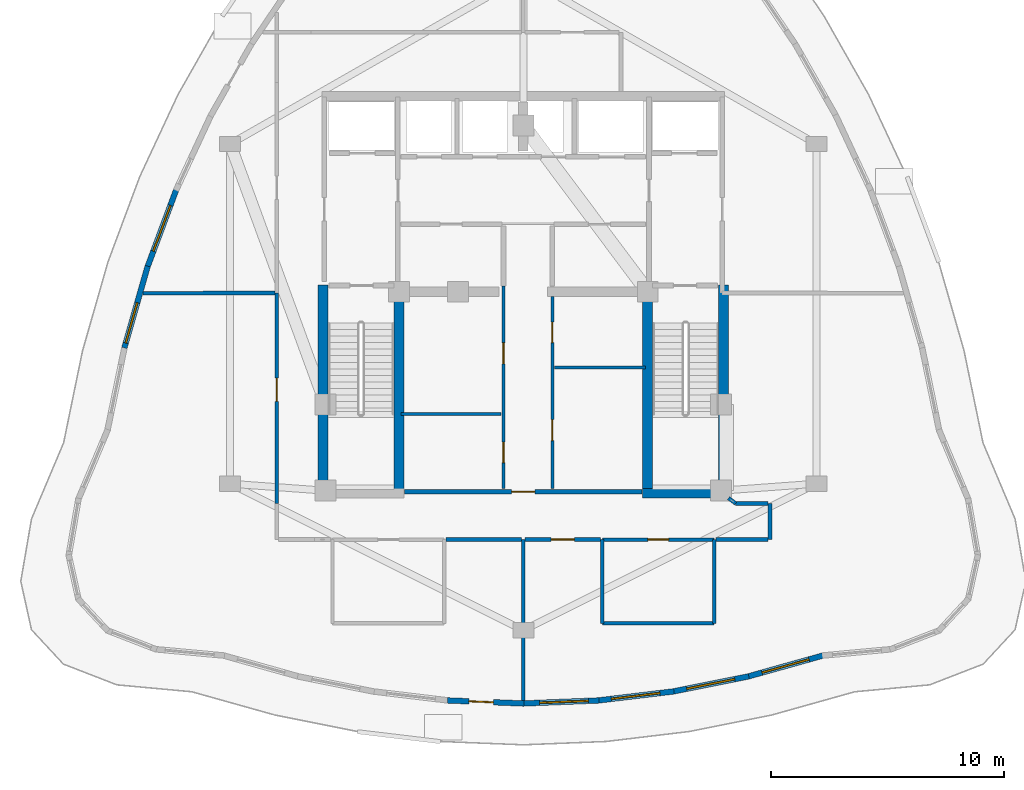
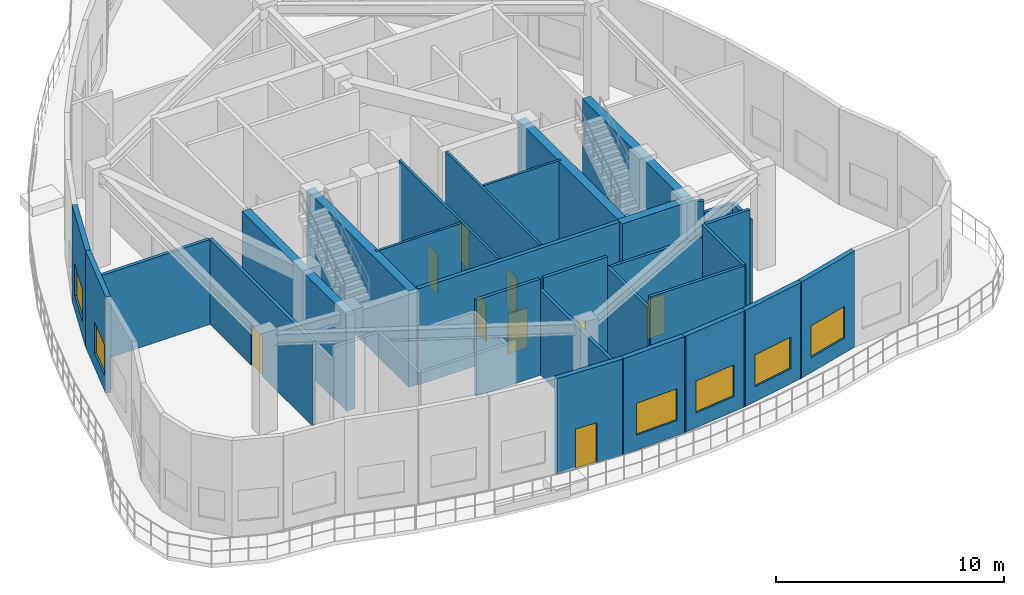
# One storey, part 4 of 11: 30 walls, 9 doors, 6 windows, 15 openings.
"""IFC4 building model written with IfcOpenShell, lengths in metres."""

from ifc_helpers import new_model, si_unit, direction, frame, frame_2d, origin, place, context, subcontext, project, spatial, rectangle, extrude, material, layer, layer_set, type_object, element, fill, save


model = new_model("IFC4")

# Units and contexts
model_context = context("Model", 3, precision=1e-05, world=origin(), true_north=direction((0.0, 1.0)))
body_context = subcontext(model_context, "Body", "Model", "MODEL_VIEW")
ifc_project = project(units=[si_unit("LENGTHUNIT", "METRE"), si_unit("AREAUNIT", "SQUARE_METRE"), si_unit("VOLUMEUNIT", "CUBIC_METRE"), si_unit("PLANEANGLEUNIT", "RADIAN"), si_unit("MASSUNIT", "GRAM", prefix="KILO")], contexts=[model_context])

# Site, building, storey
site_placement = place(None, origin())
site = spatial("IfcSite", under=ifc_project, at=site_placement, CompositionType="ELEMENT")
building_placement = place(site_placement, origin())
building = spatial("IfcBuilding", under=site, at=building_placement, Name="Miruveldt Soraemaru", CompositionType="ELEMENT")
storey_placement = place(building_placement, frame((0.0, 0.0, 295.39990234375)))
storey = spatial("IfcBuildingStorey", under=building, at=storey_placement, Name="L79", CompositionType="ELEMENT", Elevation=295.39990234375)

# Walls
ifc_material_1 = material(Name="Concrete C50/60 (50 MPa)", Category="concrete")
ifc_layer_1 = layer(ifc_material_1, 0.419921875, Name="Concrete C50/60 (50 MPa)", Category="concrete")
ifc_layer_set_1 = layer_set([ifc_layer_1], Name="Concrete C50/60 (50 MPa)")
wall_type_1 = type_object("IfcWallType", Name="WALL-CW-420", PredefinedType="SHEAR", material=ifc_layer_set_1)
wall_1_placement = place(storey_placement, frame((49.1298828125, 35.389892578125, 0.0), z_axis=(0.0, 0.0, 1.0), x_axis=(1.0, 0.0, 0.0)))
element("IfcWall", 1, at=wall_1_placement, inside=storey, type_object=wall_type_1, Name="L79 Central Core Shear Wall S2", PredefinedType="SHEAR", context=body_context, shape_type="SweptSolid", body=[
    extrude(rectangle(XDim=3.690185546875, YDim=0.419921875, at=frame_2d((1.84521484375, 0.0))), origin(), (0.0, 0.0, 1.0), 5.14013671875),
])
for number, where, z_axis, x_axis, name in (
    (2, (35.389892578125, 35.179931640625, 0.0), (0.0, 0.0, 1.0), (0.0, 1.0, 0.0), "L79 Central Core Shear Wall W1"),
    (3, (52.610107421875, 35.179931640625, 0.0), (0.0, 0.0, 1.0), (0.0, 1.0, 0.0), "L79 Central Core Shear Wall E1"),
):
    element("IfcWall", number, at=place(storey_placement, frame(where, z_axis=z_axis, x_axis=x_axis)), inside=storey, type_object=wall_type_1, Name=name, PredefinedType="SHEAR", context=body_context, shape_type="SweptSolid", body=[
        extrude(rectangle(XDim=9.170166015625, YDim=0.419921875, at=frame_2d((4.5849609375, 0.0))), origin(), (0.0, 0.0, 1.0), 5.14013671875),
    ])
for number, where, z_axis, x_axis, name in (
    (4, (38.659912109375, 35.39990234375, 0.0), (0.0, 0.0, 1.0), (0.0, 1.0, 0.0), "L79 Central Core Shear Wall SW-INT"),
    (5, (49.340087890625, 35.39990234375, 0.0), (0.0, 0.0, 1.0), (0.0, 1.0, 0.0), "L79 Central Core Shear Wall SE-INT"),
):
    element("IfcWall", number, at=place(storey_placement, frame(where, z_axis=z_axis, x_axis=x_axis)), inside=storey, type_object=wall_type_1, Name=name, PredefinedType="SHEAR", context=body_context, shape_type="SweptSolid", body=[
        extrude(rectangle(XDim=8.9501953125, YDim=0.419921875, at=frame_2d((4.47509765625, 0.0))), origin(), (0.0, 0.0, 1.0), 5.14013671875),
    ])

# Wall, opening, window
ifc_material_2 = material(Name="Precast concrete C45/55 (45 MPa)", Category="concrete")
ifc_layer_2 = layer(ifc_material_2, 0.239990234375, Name="Precast concrete C45/55 (45 MPa)", Category="concrete")
ifc_layer_set_2 = layer_set([ifc_layer_2], Name="Precast concrete C45/55 (45 MPa)")
wall_type_2 = type_object("IfcWallType", Name="WALL-EXT-PC240", PredefinedType="SOLIDWALL", material=ifc_layer_set_2)
wall_2_placement = place(storey_placement, frame((29.096435546875, 48.46728515625, 0.0), z_axis=(0.0, 0.0, 1.0), x_axis=(-0.349054279873, -0.937102507574, 0.0)))
wall_2 = element("IfcWall", 6, at=wall_2_placement, inside=storey, type_object=wall_type_2, Name="L79 Precast Concrete Facade Wall 12", PredefinedType="SOLIDWALL", context=body_context, shape_type="SweptSolid", body=[
    extrude(rectangle(XDim=3.609130859375, YDim=0.239990234375, at=frame_2d((1.8046875, 0.0))), origin(), (0.0, 0.0, 1.0), 5.14013671875),
])
opening_1_placement = place(wall_2_placement, frame((0.75390625, 0.0, 0.800048828125)))
opening_1 = element("IfcOpeningElement", 7, at=opening_1_placement, cuts=wall_2, Name="Opening WN-1", PredefinedType="OPENING", context=body_context, shape_type="SweptSolid", body=[
    extrude(rectangle(XDim=2.10009765625, YDim=1.699951171875, at=frame_2d((1.050048828125, 0.85009765625))), frame((0.0, 0.1298828125, 0.0), z_axis=(0.0, -1.0, 0.0), x_axis=(1.0, 0.0, 0.0)), (0.0, 0.0, 1.0), 0.260009765625),
])
ifc_material_3 = material(Name="Triple low-e insulated glazing", Category="glass")
window_type_1 = type_object("IfcWindowType", Name="WIN-PUNCH-2100x1700", PartitioningType="SINGLE_PANEL", PredefinedType="WINDOW", material=ifc_material_3)
window_1_placement = place(opening_1_placement, origin())
window_1 = element("IfcWindow", 8, at=window_1_placement, inside=storey, type_object=window_type_1, Name="L79 Punched Triple-Glazed Window 12.1", OverallHeight=1.699951171875, OverallWidth=2.10009765625, PartitioningType="SINGLE_PANEL", PredefinedType="WINDOW", context=body_context, shape_type="SweptSolid", body=[
    extrude(rectangle(XDim=2.10009765625, YDim=1.699951171875, at=frame_2d((1.050048828125, 0.85009765625))), frame((0.0, 0.030029296875, 0.0), z_axis=(0.0, -1.0, 0.0), x_axis=(1.0, 0.0, 0.0)), (0.0, 0.0, 1.0), 0.06005859375),
])
fill(opening_1, window_1)

wall_3_placement = place(storey_placement, frame((27.8583984375, 45.151611328125, 0.0), z_axis=(0.0, 0.0, 1.0), x_axis=(-0.274897629025, -0.961473501224, 0.0)))
wall_3 = element("IfcWall", 9, at=wall_3_placement, inside=storey, type_object=wall_type_2, Name="L79 Precast Concrete Facade Wall 13", PredefinedType="SOLIDWALL", context=body_context, shape_type="SweptSolid", body=[
    extrude(rectangle(XDim=3.65380859375, YDim=0.239990234375, at=frame_2d((1.826904296875, 0.0))), origin(), (0.0, 0.0, 1.0), 5.14013671875),
])
opening_2_placement = place(wall_3_placement, frame((1.635009765625, 0.0, 0.800048828125)))
opening_2 = element("IfcOpeningElement", 10, at=opening_2_placement, cuts=wall_3, Name="Opening WN-2", PredefinedType="OPENING", context=body_context, shape_type="SweptSolid", body=[
    extrude(rectangle(XDim=1.800048828125, YDim=1.64990234375, at=frame_2d((0.89990234375, 0.824951171875))), frame((0.0, 0.1298828125, 0.0), z_axis=(0.0, -1.0, 0.0), x_axis=(1.0, 0.0, 0.0)), (0.0, 0.0, 1.0), 0.260009765625),
])
window_type_2 = type_object("IfcWindowType", Name="WIN-PUNCH-1800x1650", PartitioningType="SINGLE_PANEL", PredefinedType="WINDOW", material=ifc_material_3)
window_2_placement = place(opening_2_placement, origin())
window_2 = element("IfcWindow", 11, at=window_2_placement, inside=storey, type_object=window_type_2, Name="L79 Punched Triple-Glazed Window 13.1", OverallHeight=1.64990234375, OverallWidth=1.800048828125, PartitioningType="SINGLE_PANEL", PredefinedType="WINDOW", context=body_context, shape_type="SweptSolid", body=[
    extrude(rectangle(XDim=1.800048828125, YDim=1.64990234375, at=frame_2d((0.89990234375, 0.824951171875))), frame((0.0, 0.030029296875, 0.0), z_axis=(0.0, -1.0, 0.0), x_axis=(1.0, 0.0, 0.0)), (0.0, 0.0, 1.0), 0.06005859375),
])
fill(opening_2, window_2)

# Wall, opening, door
wall_4_placement = place(storey_placement, frame((40.74462890625, 26.485107421875, 0.0), z_axis=(0.0, 0.0, 1.0), x_axis=(0.999201195577, -0.039962116526, 0.0)))
wall_4 = element("IfcWall", 12, at=wall_4_placement, inside=storey, type_object=wall_type_2, Name="L79 Precast Concrete Facade Wall 24", PredefinedType="SOLIDWALL", context=body_context, shape_type="SweptSolid", body=[
    extrude(rectangle(XDim=3.29296875, YDim=0.239990234375, at=frame_2d((1.646484375, 0.0))), origin(), (0.0, 0.0, 1.0), 5.14013671875),
])
opening_3_placement = place(wall_4_placement, frame((0.922119140625, 0.0, 0.0)))
opening_3 = element("IfcOpeningElement", 13, at=opening_3_placement, cuts=wall_4, Name="Opening TD-1", PredefinedType="OPENING", context=body_context, shape_type="SweptSolid", body=[
    extrude(rectangle(XDim=1.050048828125, YDim=2.14990234375, at=frame_2d((0.52490234375, 1.074951171875))), frame((0.0, 0.1298828125, 0.0), z_axis=(0.0, -1.0, 0.0), x_axis=(1.0, 0.0, 0.0)), (0.0, 0.0, 1.0), 0.260009765625),
])
ifc_material_4 = material(Name="Anodised aluminium EN AW-6063 T6", Category="aluminium")
door_type_1 = type_object("IfcDoorType", Name="DOOR-TER-1050", OperationType="NOTDEFINED", PredefinedType="DOOR", material=ifc_material_4)
door_1_placement = place(opening_3_placement, frame((1.050048828125, 0.0, 0.0), z_axis=(0.0, 0.0, 1.0), x_axis=(-1.0, 0.0, 0.0)))
door_1 = element("IfcDoor", 14, at=door_1_placement, inside=storey, type_object=door_type_1, Name="L79 Terrace Access Glazed Door 24", OperationType="SINGLE_SWING_LEFT", OverallHeight=2.14990234375, OverallWidth=1.050048828125, PredefinedType="DOOR", context=body_context, shape_type="SweptSolid", body=[
    extrude(rectangle(XDim=1.050048828125, YDim=2.14990234375, at=frame_2d((0.52490234375, 1.074951171875))), frame((0.0, 0.02490234375, 0.0), z_axis=(0.0, -1.0, 0.0), x_axis=(1.0, 0.0, 0.0)), (0.0, 0.0, 1.0), 0.050048828125),
])
fill(opening_3, door_1)

# Wall, opening, window
wall_5_placement = place(storey_placement, frame((43.965087890625, 26.353515625, 0.0), z_axis=(0.0, 0.0, 1.0), x_axis=(0.999201195577, 0.039962116526, 0.0)))
wall_5 = element("IfcWall", 15, at=wall_5_placement, inside=storey, type_object=wall_type_2, Name="L79 Precast Concrete Facade Wall 25", PredefinedType="SOLIDWALL", context=body_context, shape_type="SweptSolid", body=[
    extrude(rectangle(XDim=3.29296875, YDim=0.239990234375, at=frame_2d((1.646484375, 0.0))), origin(), (0.0, 0.0, 1.0), 5.14013671875),
])
opening_4_placement = place(wall_5_placement, frame((0.736083984375, 0.0, 0.800048828125)))
opening_4 = element("IfcOpeningElement", 16, at=opening_4_placement, cuts=wall_5, Name="Opening WN-1", PredefinedType="OPENING", context=body_context, shape_type="SweptSolid", body=[
    extrude(rectangle(XDim=2.10009765625, YDim=1.699951171875, at=frame_2d((1.050048828125, 0.85009765625))), frame((0.0, 0.1298828125, 0.0), z_axis=(0.0, -1.0, 0.0), x_axis=(1.0, 0.0, 0.0)), (0.0, 0.0, 1.0), 0.260009765625),
])
window_3_placement = place(opening_4_placement, origin())
window_3 = element("IfcWindow", 17, at=window_3_placement, inside=storey, type_object=window_type_1, Name="L79 Punched Triple-Glazed Window 25.1", OverallHeight=1.699951171875, OverallWidth=2.10009765625, PartitioningType="SINGLE_PANEL", PredefinedType="WINDOW", context=body_context, shape_type="SweptSolid", body=[
    extrude(rectangle(XDim=2.10009765625, YDim=1.699951171875, at=frame_2d((1.050048828125, 0.85009765625))), frame((0.0, 0.030029296875, 0.0), z_axis=(0.0, -1.0, 0.0), x_axis=(1.0, 0.0, 0.0)), (0.0, 0.0, 1.0), 0.06005859375),
])
fill(opening_4, window_3)

wall_6_placement = place(storey_placement, frame((47.185546875, 26.4794921875, 0.0), z_axis=(0.0, 0.0, 1.0), x_axis=(0.992868119477, 0.119217856572, 0.0)))
wall_6 = element("IfcWall", 18, at=wall_6_placement, inside=storey, type_object=wall_type_2, Name="L79 Precast Concrete Facade Wall 26", PredefinedType="SOLIDWALL", context=body_context, shape_type="SweptSolid", body=[
    extrude(rectangle(XDim=3.3134765625, YDim=0.239990234375, at=frame_2d((1.65673828125, 0.0))), origin(), (0.0, 0.0, 1.0), 5.14013671875),
])
opening_5_placement = place(wall_6_placement, frame((0.60693359375, 0.0, 0.800048828125)))
opening_5 = element("IfcOpeningElement", 19, at=opening_5_placement, cuts=wall_6, Name="Opening WN-1", PredefinedType="OPENING", context=body_context, shape_type="SweptSolid", body=[
    extrude(rectangle(XDim=2.10009765625, YDim=1.699951171875, at=frame_2d((1.050048828125, 0.85009765625))), frame((0.0, 0.1298828125, 0.0), z_axis=(0.0, -1.0, 0.0), x_axis=(1.0, 0.0, 0.0)), (0.0, 0.0, 1.0), 0.260009765625),
])
window_4_placement = place(opening_5_placement, origin())
window_4 = element("IfcWindow", 20, at=window_4_placement, inside=storey, type_object=window_type_1, Name="L79 Punched Triple-Glazed Window 26.1", OverallHeight=1.699951171875, OverallWidth=2.10009765625, PartitioningType="SINGLE_PANEL", PredefinedType="WINDOW", context=body_context, shape_type="SweptSolid", body=[
    extrude(rectangle(XDim=2.10009765625, YDim=1.699951171875, at=frame_2d((1.050048828125, 0.85009765625))), frame((0.0, 0.030029296875, 0.0), z_axis=(0.0, -1.0, 0.0), x_axis=(1.0, 0.0, 0.0)), (0.0, 0.0, 1.0), 0.06005859375),
])
fill(opening_5, window_4)

wall_7_placement = place(storey_placement, frame((50.40625, 26.86328125, 0.0), z_axis=(0.0, 0.0, 1.0), x_axis=(0.980569475455, 0.196172128005, 0.0)))
wall_7 = element("IfcWall", 21, at=wall_7_placement, inside=storey, type_object=wall_type_2, Name="L79 Precast Concrete Facade Wall 27", PredefinedType="SOLIDWALL", context=body_context, shape_type="SweptSolid", body=[
    extrude(rectangle(XDim=3.35400390625, YDim=0.239990234375, at=frame_2d((1.677001953125, 0.0))), origin(), (0.0, 0.0, 1.0), 5.14013671875),
])
opening_6_placement = place(wall_7_placement, frame((0.626953125, 0.0, 0.800048828125)))
opening_6 = element("IfcOpeningElement", 22, at=opening_6_placement, cuts=wall_7, Name="Opening WN-1", PredefinedType="OPENING", context=body_context, shape_type="SweptSolid", body=[
    extrude(rectangle(XDim=2.10009765625, YDim=1.699951171875, at=frame_2d((1.050048828125, 0.85009765625))), frame((0.0, 0.1298828125, 0.0), z_axis=(0.0, -1.0, 0.0), x_axis=(1.0, 0.0, 0.0)), (0.0, 0.0, 1.0), 0.260009765625),
])
window_5_placement = place(opening_6_placement, origin())
window_5 = element("IfcWindow", 23, at=window_5_placement, inside=storey, type_object=window_type_1, Name="L79 Punched Triple-Glazed Window 27.1", OverallHeight=1.699951171875, OverallWidth=2.10009765625, PartitioningType="SINGLE_PANEL", PredefinedType="WINDOW", context=body_context, shape_type="SweptSolid", body=[
    extrude(rectangle(XDim=2.10009765625, YDim=1.699951171875, at=frame_2d((1.050048828125, 0.85009765625))), frame((0.0, 0.030029296875, 0.0), z_axis=(0.0, -1.0, 0.0), x_axis=(1.0, 0.0, 0.0)), (0.0, 0.0, 1.0), 0.06005859375),
])
fill(opening_6, window_5)

wall_8_placement = place(storey_placement, frame((53.627197265625, 27.5048828125, 0.0), z_axis=(0.0, 0.0, 1.0), x_axis=(0.962972931592, 0.269598095359, 0.0)))
wall_8 = element("IfcWall", 24, at=wall_8_placement, inside=storey, type_object=wall_type_2, Name="L79 Precast Concrete Facade Wall 28", PredefinedType="SOLIDWALL", context=body_context, shape_type="SweptSolid", body=[
    extrude(rectangle(XDim=3.4140625, YDim=0.239990234375, at=frame_2d((1.70703125, 0.0))), origin(), (0.0, 0.0, 1.0), 5.14013671875),
])
opening_7_placement = place(wall_8_placement, frame((0.656982421875, 0.0, 0.800048828125)))
opening_7 = element("IfcOpeningElement", 25, at=opening_7_placement, cuts=wall_8, Name="Opening WN-1", PredefinedType="OPENING", context=body_context, shape_type="SweptSolid", body=[
    extrude(rectangle(XDim=2.10009765625, YDim=1.699951171875, at=frame_2d((1.050048828125, 0.85009765625))), frame((0.0, 0.1298828125, 0.0), z_axis=(0.0, -1.0, 0.0), x_axis=(1.0, 0.0, 0.0)), (0.0, 0.0, 1.0), 0.260009765625),
])
window_6_placement = place(opening_7_placement, origin())
window_6 = element("IfcWindow", 26, at=window_6_placement, inside=storey, type_object=window_type_1, Name="L79 Punched Triple-Glazed Window 28.1", OverallHeight=1.699951171875, OverallWidth=2.10009765625, PartitioningType="SINGLE_PANEL", PredefinedType="WINDOW", context=body_context, shape_type="SweptSolid", body=[
    extrude(rectangle(XDim=2.10009765625, YDim=1.699951171875, at=frame_2d((1.050048828125, 0.85009765625))), frame((0.0, 0.030029296875, 0.0), z_axis=(0.0, -1.0, 0.0), x_axis=(1.0, 0.0, 0.0)), (0.0, 0.0, 1.0), 0.06005859375),
])
fill(opening_7, window_6)

# Wall, openings, doors
ifc_material_5 = material(Name="Gypsum plasterboard lining", Category="gypsum")
ifc_layer_3 = layer(ifc_material_5, 0.1201171875, Name="Gypsum plasterboard lining", Category="gypsum")
ifc_layer_set_3 = layer_set([ifc_layer_3], Name="Gypsum plasterboard lining")
wall_type_3 = type_object("IfcWallType", Name="WALL-INT-P120", PredefinedType="PARTITIONING", material=ifc_layer_set_3)
wall_9_placement = place(storey_placement, frame((43.14990234375, 35.60009765625, 0.0), z_axis=(0.0, 0.0, 1.0), x_axis=(0.0, 1.0, 0.0)))
wall_9 = element("IfcWall", 27, at=wall_9_placement, inside=storey, type_object=wall_type_3, Name="L79 Core Compartment Wall SP-WL", PredefinedType="PARTITIONING", context=body_context, shape_type="SweptSolid", body=[
    extrude(rectangle(XDim=8.699951171875, YDim=0.1201171875, at=frame_2d((4.35009765625, 0.0))), origin(), (0.0, 0.0, 1.0), 5.14013671875),
])
opening_8_placement = place(wall_9_placement, frame((1.110107421875, 0.0, 0.0)))
opening_8 = element("IfcOpeningElement", 28, at=opening_8_placement, cuts=wall_9, Name="Opening D4", PredefinedType="OPENING", context=body_context, shape_type="SweptSolid", body=[
    extrude(rectangle(XDim=0.8798828125, YDim=2.10009765625, at=frame_2d((0.43994140625, 1.050048828125))), frame((0.0, 0.070068359375, 0.0), z_axis=(0.0, -1.0, 0.0), x_axis=(1.0, 0.0, 0.0)), (0.0, 0.0, 1.0), 0.14013671875),
])
opening_9_placement = place(wall_9_placement, frame((5.35009765625, 0.0, 0.0)))
opening_9 = element("IfcOpeningElement", 29, at=opening_9_placement, cuts=wall_9, Name="Opening D3", PredefinedType="OPENING", context=body_context, shape_type="SweptSolid", body=[
    extrude(rectangle(XDim=0.89990234375, YDim=2.10009765625, at=frame_2d((0.449951171875, 1.050048828125))), frame((0.0, 0.070068359375, 0.0), z_axis=(0.0, -1.0, 0.0), x_axis=(1.0, 0.0, 0.0)), (0.0, 0.0, 1.0), 0.14013671875),
])
door_type_2 = type_object("IfcDoorType", Name="DOOR-INT-880", OperationType="NOTDEFINED", PredefinedType="DOOR", material=ifc_material_4)
door_2_placement = place(opening_8_placement, origin())
door_2 = element("IfcDoor", 30, at=door_2_placement, inside=storey, type_object=door_type_2, Name="L79 Fire Door", OperationType="SINGLE_SWING_LEFT", OverallHeight=2.10009765625, OverallWidth=0.8798828125, PredefinedType="DOOR", context=body_context, shape_type="SweptSolid", body=[
    extrude(rectangle(XDim=0.8798828125, YDim=2.10009765625, at=frame_2d((0.43994140625, 1.050048828125))), frame((0.0, 0.02490234375, 0.0), z_axis=(0.0, -1.0, 0.0), x_axis=(1.0, 0.0, 0.0)), (0.0, 0.0, 1.0), 0.050048828125),
])
fill(opening_8, door_2)
door_type_3 = type_object("IfcDoorType", Name="DOOR-INT-900", OperationType="NOTDEFINED", PredefinedType="DOOR", material=ifc_material_4)
door_3_placement = place(opening_9_placement, origin())
door_3 = element("IfcDoor", 31, at=door_3_placement, inside=storey, type_object=door_type_3, Name="L79 Fire Door", OperationType="SINGLE_SWING_LEFT", OverallHeight=2.10009765625, OverallWidth=0.89990234375, PredefinedType="DOOR", context=body_context, shape_type="SweptSolid", body=[
    extrude(rectangle(XDim=0.89990234375, YDim=2.10009765625, at=frame_2d((0.449951171875, 1.050048828125))), frame((0.0, 0.02490234375, 0.0), z_axis=(0.0, -1.0, 0.0), x_axis=(1.0, 0.0, 0.0)), (0.0, 0.0, 1.0), 0.050048828125),
])
fill(opening_9, door_3)

wall_10_placement = place(storey_placement, frame((45.25, 35.60009765625, 0.0), z_axis=(0.0, 0.0, 1.0), x_axis=(0.0, 1.0, 0.0)))
wall_10 = element("IfcWall", 32, at=wall_10_placement, inside=storey, type_object=wall_type_3, Name="L79 Core Compartment Wall SP-EL", PredefinedType="PARTITIONING", context=body_context, shape_type="SweptSolid", body=[
    extrude(rectangle(XDim=8.25, YDim=0.1201171875, at=frame_2d((4.125, 0.0))), origin(), (0.0, 0.0, 1.0), 5.14013671875),
])
opening_10_placement = place(wall_10_placement, frame((2.050048828125, 0.0, 0.0)))
opening_10 = element("IfcOpeningElement", 33, at=opening_10_placement, cuts=wall_10, Name="Opening D3", PredefinedType="OPENING", context=body_context, shape_type="SweptSolid", body=[
    extrude(rectangle(XDim=0.89990234375, YDim=2.10009765625, at=frame_2d((0.449951171875, 1.050048828125))), frame((0.0, 0.070068359375, 0.0), z_axis=(0.0, -1.0, 0.0), x_axis=(1.0, 0.0, 0.0)), (0.0, 0.0, 1.0), 0.14013671875),
])
opening_11_placement = place(wall_10_placement, frame((6.260009765625, 0.0, 0.0)))
opening_11 = element("IfcOpeningElement", 34, at=opening_11_placement, cuts=wall_10, Name="Opening D4", PredefinedType="OPENING", context=body_context, shape_type="SweptSolid", body=[
    extrude(rectangle(XDim=0.8798828125, YDim=2.10009765625, at=frame_2d((0.43994140625, 1.050048828125))), frame((0.0, 0.070068359375, 0.0), z_axis=(0.0, -1.0, 0.0), x_axis=(1.0, 0.0, 0.0)), (0.0, 0.0, 1.0), 0.14013671875),
])
door_4_placement = place(opening_11_placement, origin())
door_4 = element("IfcDoor", 35, at=door_4_placement, inside=storey, type_object=door_type_2, Name="L79 Fire Door", OperationType="SINGLE_SWING_LEFT", OverallHeight=2.10009765625, OverallWidth=0.8798828125, PredefinedType="DOOR", context=body_context, shape_type="SweptSolid", body=[
    extrude(rectangle(XDim=0.8798828125, YDim=2.10009765625, at=frame_2d((0.43994140625, 1.050048828125))), frame((0.0, 0.02490234375, 0.0), z_axis=(0.0, -1.0, 0.0), x_axis=(1.0, 0.0, 0.0)), (0.0, 0.0, 1.0), 0.050048828125),
])
fill(opening_11, door_4)
door_5_placement = place(opening_10_placement, origin())
door_5 = element("IfcDoor", 36, at=door_5_placement, inside=storey, type_object=door_type_3, Name="L79 Fire Door", OperationType="SINGLE_SWING_LEFT", OverallHeight=2.10009765625, OverallWidth=0.89990234375, PredefinedType="DOOR", context=body_context, shape_type="SweptSolid", body=[
    extrude(rectangle(XDim=0.89990234375, YDim=2.10009765625, at=frame_2d((0.449951171875, 1.050048828125))), frame((0.0, 0.02490234375, 0.0), z_axis=(0.0, -1.0, 0.0), x_axis=(1.0, 0.0, 0.0)), (0.0, 0.0, 1.0), 0.050048828125),
])
fill(opening_10, door_5)

# Walls
wall_11_placement = place(storey_placement, frame((38.75, 38.800048828125, 0.0), z_axis=(0.0, 0.0, 1.0), x_axis=(1.0, 0.0, 0.0)))
element("IfcWall", 37, at=wall_11_placement, inside=storey, type_object=wall_type_3, Name="L79 Core Compartment Wall RL-W2H", PredefinedType="PARTITIONING", context=body_context, shape_type="SweptSolid", body=[
    extrude(rectangle(XDim=4.300048828125, YDim=0.1201171875, at=frame_2d((2.14990234375, 0.0))), origin(), (0.0, 0.0, 1.0), 5.14013671875),
])
wall_12_placement = place(storey_placement, frame((45.35009765625, 40.800048828125, 0.0), z_axis=(0.0, 0.0, 1.0), x_axis=(1.0, 0.0, 0.0)))
element("IfcWall", 38, at=wall_12_placement, inside=storey, type_object=wall_type_3, Name="L79 Core Compartment Wall RL-E2H", PredefinedType="PARTITIONING", context=body_context, shape_type="SweptSolid", body=[
    extrude(rectangle(XDim=3.89990234375, YDim=0.1201171875, at=frame_2d((1.949951171875, 0.0))), origin(), (0.0, 0.0, 1.0), 5.14013671875),
])

# Wall, opening, door
ifc_layer_4 = layer(ifc_material_5, 0.14990234375, Name="Gypsum plasterboard lining", Category="gypsum")
ifc_layer_set_4 = layer_set([ifc_layer_4], Name="Gypsum plasterboard lining")
wall_type_4 = type_object("IfcWallType", Name="WALL-INT-PLUMB", PredefinedType="PLUMBINGWALL", material=ifc_layer_set_4)
wall_13_placement = place(storey_placement, frame((47.39990234375, 33.39990234375, 0.0), z_axis=(0.0, 0.0, 1.0), x_axis=(1.0, 0.0, 0.0)))
wall_13 = element("IfcWall", 39, at=wall_13_placement, inside=storey, type_object=wall_type_4, Name="L79 Partition Wall 2", PredefinedType="PLUMBINGWALL", context=body_context, shape_type="SweptSolid", body=[
    extrude(rectangle(XDim=4.800048828125, YDim=0.14990234375, at=frame_2d((2.39990234375, 0.0))), origin(), (0.0, 0.0, 1.0), 4.5400390625),
])
opening_12_placement = place(wall_13_placement, frame((1.949951171875, 0.0, 0.0)))
opening_12 = element("IfcOpeningElement", 40, at=opening_12_placement, cuts=wall_13, Name="Opening D3", PredefinedType="OPENING", context=body_context, shape_type="SweptSolid", body=[
    extrude(rectangle(XDim=0.89990234375, YDim=2.10009765625, at=frame_2d((0.449951171875, 1.050048828125))), frame((0.0, 0.0849609375, 0.0), z_axis=(0.0, -1.0, 0.0), x_axis=(1.0, 0.0, 0.0)), (0.0, 0.0, 1.0), 0.169921875),
])
door_6_placement = place(opening_12_placement, origin())
door_6 = element("IfcDoor", 41, at=door_6_placement, inside=storey, type_object=door_type_3, Name="L79 Accessible WC Door", OperationType="SINGLE_SWING_LEFT", OverallHeight=2.10009765625, OverallWidth=0.89990234375, PredefinedType="DOOR", context=body_context, shape_type="SweptSolid", body=[
    extrude(rectangle(XDim=0.89990234375, YDim=2.10009765625, at=frame_2d((0.449951171875, 1.050048828125))), frame((0.0, 0.02490234375, 0.0), z_axis=(0.0, -1.0, 0.0), x_axis=(1.0, 0.0, 0.0)), (0.0, 0.0, 1.0), 0.050048828125),
])
fill(opening_12, door_6)

# Walls
wall_14_placement = place(storey_placement, frame((47.39990234375, 29.800048828125, 0.0), z_axis=(0.0, 0.0, 1.0), x_axis=(1.0, 0.0, 0.0)))
element("IfcWall", 42, at=wall_14_placement, inside=storey, type_object=wall_type_4, Name="L79 Partition Wall 22", PredefinedType="PLUMBINGWALL", context=body_context, shape_type="SweptSolid", body=[
    extrude(rectangle(XDim=4.800048828125, YDim=0.14990234375, at=frame_2d((2.39990234375, 0.0))), origin(), (0.0, 0.0, 1.0), 5.14013671875),
])
wall_15_placement = place(storey_placement, frame((47.39990234375, 33.39990234375, 0.0), z_axis=(0.0, 0.0, 1.0), x_axis=(0.0, -1.0, 0.0)))
element("IfcWall", 43, at=wall_15_placement, inside=storey, type_object=wall_type_4, Name="L79 Partition Wall 21", PredefinedType="PLUMBINGWALL", context=body_context, shape_type="SweptSolid", body=[
    extrude(rectangle(XDim=3.599853515625, YDim=0.14990234375, at=frame_2d((1.7998046875, 0.0))), origin(), (0.0, 0.0, 1.0), 4.5400390625),
])
wall_16_placement = place(storey_placement, frame((52.199951171875, 29.800048828125, 0.0), z_axis=(0.0, 0.0, 1.0), x_axis=(0.0, 1.0, 0.0)))
element("IfcWall", 44, at=wall_16_placement, inside=storey, type_object=wall_type_4, Name="L79 Partition Wall 23", PredefinedType="PLUMBINGWALL", context=body_context, shape_type="SweptSolid", body=[
    extrude(rectangle(XDim=3.599853515625, YDim=0.14990234375, at=frame_2d((1.7998046875, 0.0))), origin(), (0.0, 0.0, 1.0), 5.14013671875),
])

# Wall, opening, door
ifc_material_6 = material(Name="Concrete C40/50 (40 MPa)", Category="concrete")
ifc_layer_5 = layer(ifc_material_6, 0.159912109375, Name="Concrete C40/50 (40 MPa)", Category="concrete")
ifc_layer_set_5 = layer_set([ifc_layer_5], Name="Concrete C40/50 (40 MPa)")
wall_type_5 = type_object("IfcWallType", Name="WALL-INT-RC160", PredefinedType="SOLIDWALL", material=ifc_layer_set_5)
wall_17_placement = place(storey_placement, frame((33.39990234375, 44.0, 0.0), z_axis=(0.0, 0.0, 1.0), x_axis=(0.0, -1.0, 0.0)))
wall_17 = element("IfcWall", 45, at=wall_17_placement, inside=storey, type_object=wall_type_5, Name="L79 Partition Wall 3", PredefinedType="SOLIDWALL", context=body_context, shape_type="SweptSolid", body=[
    extrude(rectangle(XDim=9.050048828125, YDim=0.159912109375, at=frame_2d((4.52490234375, 0.0))), origin(), (0.0, 0.0, 1.0), 4.5400390625),
])
opening_13_placement = place(wall_17_placement, frame((3.6650390625, 0.0, 0.0)))
opening_13 = element("IfcOpeningElement", 46, at=opening_13_placement, cuts=wall_17, Name="Opening FD2A", PredefinedType="OPENING", context=body_context, shape_type="SweptSolid", body=[
    extrude(rectangle(XDim=1.0, YDim=2.14990234375, at=frame_2d((0.5, 1.074951171875))), frame((0.0, 0.08984375, 0.0), z_axis=(0.0, -1.0, 0.0), x_axis=(1.0, 0.0, 0.0)), (0.0, 0.0, 1.0), 0.179931640625),
])
door_type_4 = type_object("IfcDoorType", Name="DOOR-FD2-1000", OperationType="NOTDEFINED", PredefinedType="DOOR", material=ifc_material_4)
door_7_placement = place(opening_13_placement, origin())
door_7 = element("IfcDoor", 47, at=door_7_placement, inside=storey, type_object=door_type_4, Name="L79 South Lookout Pavilion Lounge Door", OperationType="SINGLE_SWING_RIGHT", OverallHeight=2.14990234375, OverallWidth=1.0, PredefinedType="DOOR", context=body_context, shape_type="SweptSolid", body=[
    extrude(rectangle(XDim=1.0, YDim=2.14990234375, at=frame_2d((0.5, 1.074951171875))), frame((0.0, 0.02490234375, 0.0), z_axis=(0.0, -1.0, 0.0), x_axis=(1.0, 0.0, 0.0)), (0.0, 0.0, 1.0), 0.050048828125),
])
fill(opening_13, door_7)

wall_18_placement = place(storey_placement, frame((44.080078125, 33.39990234375, 0.0), z_axis=(0.0, 0.0, 1.0), x_axis=(1.0, 0.0, 0.0)))
wall_18 = element("IfcWall", 48, at=wall_18_placement, inside=storey, type_object=wall_type_5, Name="L79 Partition Wall 8", PredefinedType="SOLIDWALL", context=body_context, shape_type="SweptSolid", body=[
    extrude(rectangle(XDim=3.239990234375, YDim=0.159912109375, at=frame_2d((1.6201171875, 0.0))), origin(), (0.0, 0.0, 1.0), 5.14013671875),
])
opening_14_placement = place(wall_18_placement, frame((1.1201171875, 0.0, 0.0)))
opening_14 = element("IfcOpeningElement", 49, at=opening_14_placement, cuts=wall_18, Name="Opening FD2A", PredefinedType="OPENING", context=body_context, shape_type="SweptSolid", body=[
    extrude(rectangle(XDim=1.0, YDim=2.14990234375, at=frame_2d((0.5, 1.074951171875))), frame((0.0, 0.08984375, 0.0), z_axis=(0.0, -1.0, 0.0), x_axis=(1.0, 0.0, 0.0)), (0.0, 0.0, 1.0), 0.179931640625),
])
door_8_placement = place(opening_14_placement, origin())
door_8 = element("IfcDoor", 50, at=door_8_placement, inside=storey, type_object=door_type_4, Name="L79 East Terrace Refreshment Bar Door", OperationType="SINGLE_SWING_LEFT", OverallHeight=2.14990234375, OverallWidth=1.0, PredefinedType="DOOR", context=body_context, shape_type="SweptSolid", body=[
    extrude(rectangle(XDim=1.0, YDim=2.14990234375, at=frame_2d((0.5, 1.074951171875))), frame((0.0, 0.02490234375, 0.0), z_axis=(0.0, -1.0, 0.0), x_axis=(1.0, 0.0, 0.0)), (0.0, 0.0, 1.0), 0.050048828125),
])
fill(opening_14, door_8)

# Walls
wall_19_placement = place(storey_placement, frame((44.0, 26.489990234375, 0.0), z_axis=(0.0, 0.0, 1.0), x_axis=(0.0, 1.0, 0.0)))
element("IfcWall", 51, at=wall_19_placement, inside=storey, type_object=wall_type_5, Name="L79 Partition Wall 24", PredefinedType="SOLIDWALL", context=body_context, shape_type="SweptSolid", body=[
    extrude(rectangle(XDim=6.909912109375, YDim=0.159912109375, at=frame_2d((3.455078125, 0.0))), origin(), (0.0, 0.0, 1.0), 4.5400390625),
])
wall_20_placement = place(storey_placement, frame((33.320068359375, 44.0, 0.0), z_axis=(0.0, 0.0, 1.0), x_axis=(-0.99999653233, -0.002633501208, 0.0)))
element("IfcWall", 52, at=wall_20_placement, inside=storey, type_object=wall_type_5, Name="L79 Partition Wall 25", PredefinedType="SOLIDWALL", context=body_context, shape_type="SweptSolid", body=[
    extrude(rectangle(XDim=5.655029296875, YDim=0.159912109375, at=frame_2d((2.82763671875, 0.0))), origin(), (0.0, 0.0, 1.0), 4.5400390625),
])
wall_21_placement = place(storey_placement, frame((40.679931640625, 33.39990234375, 0.0), z_axis=(0.0, 0.0, 1.0), x_axis=(1.0, 0.0, 0.0)))
element("IfcWall", 53, at=wall_21_placement, inside=storey, type_object=wall_type_5, Name="L79 Partition Wall 7", PredefinedType="SOLIDWALL", context=body_context, shape_type="SweptSolid", body=[
    extrude(rectangle(XDim=3.239990234375, YDim=0.159912109375, at=frame_2d((1.6201171875, 0.0))), origin(), (0.0, 0.0, 1.0), 5.14013671875),
])
wall_22_placement = place(storey_placement, frame((52.280029296875, 33.39990234375, 0.0), z_axis=(0.0, 0.0, 1.0), x_axis=(1.0, 0.0, 0.0)))
element("IfcWall", 54, at=wall_22_placement, inside=storey, type_object=wall_type_5, Name="L79 Partition Wall 9", PredefinedType="SOLIDWALL", context=body_context, shape_type="SweptSolid", body=[
    extrude(rectangle(XDim=2.239990234375, YDim=0.159912109375, at=frame_2d((1.1201171875, 0.0))), origin(), (0.0, 0.0, 1.0), 5.14013671875),
])
wall_23_placement = place(storey_placement, frame((54.60009765625, 33.39990234375, 0.0), z_axis=(0.0, 0.0, 1.0), x_axis=(0.0, 1.0, 0.0)))
element("IfcWall", 55, at=wall_23_placement, inside=storey, type_object=wall_type_5, Name="L79 Partition Wall 10", PredefinedType="SOLIDWALL", context=body_context, shape_type="SweptSolid", body=[
    extrude(rectangle(XDim=1.550048828125, YDim=0.159912109375, at=frame_2d((0.77490234375, 0.0))), origin(), (0.0, 0.0, 1.0), 4.5400390625),
])
wall_24_placement = place(storey_placement, frame((54.52001953125, 34.949951171875, 0.0), z_axis=(0.0, 0.0, 1.0), x_axis=(-1.0, 0.0, 0.0)))
element("IfcWall", 56, at=wall_24_placement, inside=storey, type_object=wall_type_5, Name="L79 Partition Wall 11", PredefinedType="SOLIDWALL", context=body_context, shape_type="SweptSolid", body=[
    extrude(rectangle(XDim=1.39013671875, YDim=0.159912109375, at=frame_2d((0.695068359375, 0.0))), origin(), (0.0, 0.0, 1.0), 4.5400390625),
])
wall_25_placement = place(storey_placement, frame((53.1298828125, 34.949951171875, 0.0), z_axis=(0.0, 0.0, 1.0), x_axis=(-0.802951496235, 0.596044373092, 0.0)))
element("IfcWall", 57, at=wall_25_placement, inside=storey, type_object=wall_type_5, Name="L79 Partition Closure Return 1", PredefinedType="SOLIDWALL", context=body_context, shape_type="SweptSolid", body=[
    extrude(rectangle(XDim=0.3857421875, YDim=0.159912109375, at=frame_2d((0.19287109375, 0.0))), origin(), (0.0, 0.0, 1.0), 5.14013671875),
])

# Wall, opening, door
ifc_layer_6 = layer(ifc_material_6, 0.199951171875, Name="Concrete C40/50 (40 MPa)", Category="concrete")
ifc_layer_set_6 = layer_set([ifc_layer_6], Name="Concrete C40/50 (40 MPa)")
wall_type_6 = type_object("IfcWallType", Name="WALL-INT-RC200", PredefinedType="SOLIDWALL", material=ifc_layer_set_6)
wall_26_placement = place(storey_placement, frame((38.89990234375, 35.449951171875, 0.0), z_axis=(0.0, 0.0, 1.0), x_axis=(1.0, 0.0, 0.0)))
wall_26 = element("IfcWall", 58, at=wall_26_placement, inside=storey, type_object=wall_type_6, Name="L79 Core Compartment Wall CS-S", PredefinedType="SOLIDWALL", context=body_context, shape_type="SweptSolid", body=[
    extrude(rectangle(XDim=10.2001953125, YDim=0.199951171875, at=frame_2d((5.10009765625, 0.0))), origin(), (0.0, 0.0, 1.0), 5.14013671875),
])
opening_15_placement = place(wall_26_placement, frame((4.60009765625, 0.0, 0.0)))
opening_15 = element("IfcOpeningElement", 59, at=opening_15_placement, cuts=wall_26, Name="Opening FD1", PredefinedType="OPENING", context=body_context, shape_type="SweptSolid", body=[
    extrude(rectangle(XDim=1.0, YDim=2.14990234375, at=frame_2d((0.5, 1.074951171875))), frame((0.0, 0.10986328125, 0.0), z_axis=(0.0, -1.0, 0.0), x_axis=(1.0, 0.0, 0.0)), (0.0, 0.0, 1.0), 0.219970703125),
])
door_type_5 = type_object("IfcDoorType", Name="DOOR-FD1-1000", OperationType="NOTDEFINED", PredefinedType="DOOR", material=ifc_material_4)
door_9_placement = place(opening_15_placement, origin())
door_9 = element("IfcDoor", 60, at=door_9_placement, inside=storey, type_object=door_type_5, Name="L79 Core South Lobby Fire Door", OperationType="SINGLE_SWING_LEFT", OverallHeight=2.14990234375, OverallWidth=1.0, PredefinedType="DOOR", context=body_context, shape_type="SweptSolid", body=[
    extrude(rectangle(XDim=1.0, YDim=2.14990234375, at=frame_2d((0.5, 1.074951171875))), frame((0.0, 0.02490234375, 0.0), z_axis=(0.0, -1.0, 0.0), x_axis=(1.0, 0.0, 0.0)), (0.0, 0.0, 1.0), 0.050048828125),
])
fill(opening_15, door_9)

save(model, "model.ifc")
